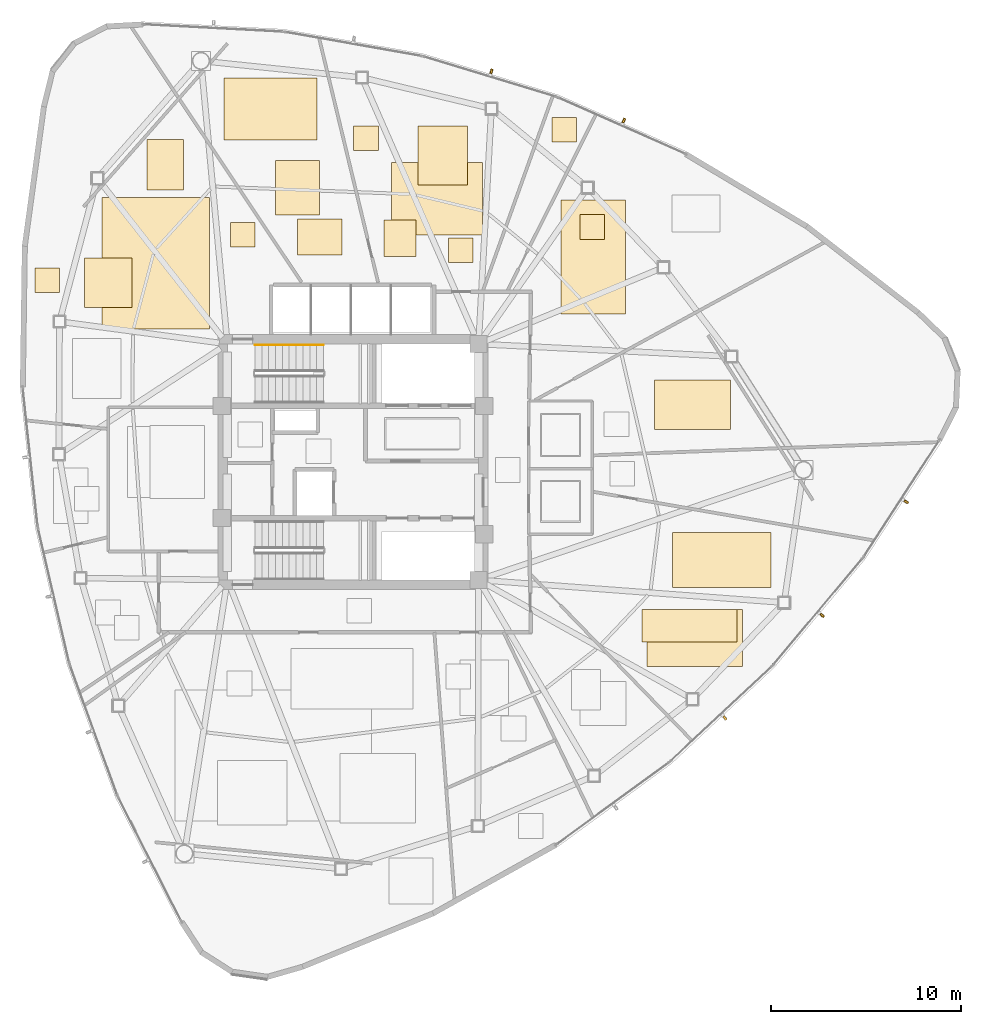
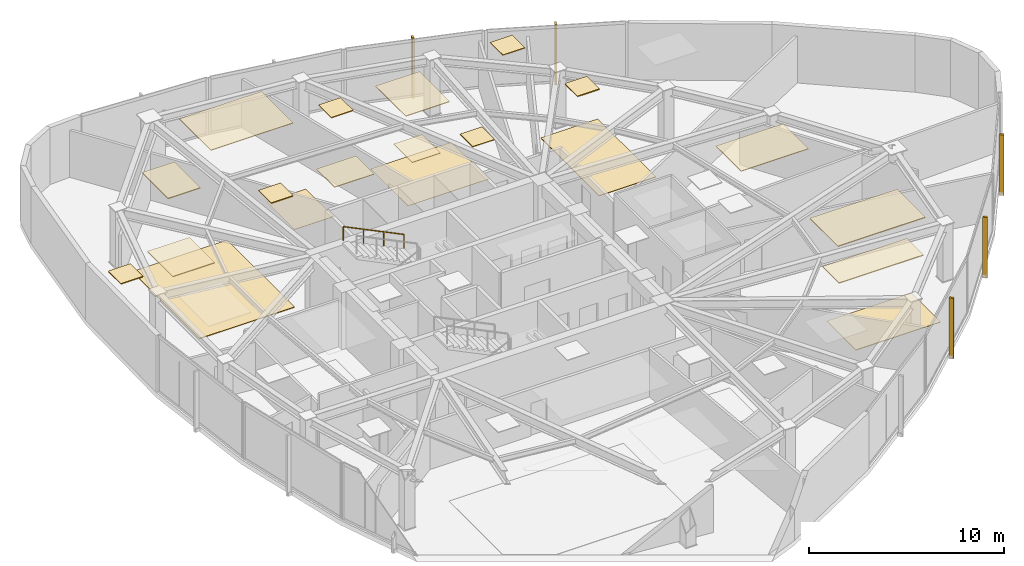
# One storey, part 16 of 17: 20 coverings, 5 shading devices, 1 railing.
"""IFC4 building model written with IfcOpenShell, lengths in metres."""

from ifc_helpers import new_model, si_unit, direction, frame, origin, origin_2d, place, context, subcontext, project, spatial, polyline, rectangle, outline, extrude, source, transform, mapped, material, layer, layer_set, type_object, type_shapes, element, save


model = new_model("IFC4")

# Units and contexts
model_context = context("Model", 3, precision=1e-05, world=origin(), true_north=direction((0.0, 1.0)))
body_context = subcontext(model_context, "Body", "Model", "MODEL_VIEW")
ifc_project = project(units=[si_unit("LENGTHUNIT", "METRE"), si_unit("AREAUNIT", "SQUARE_METRE"), si_unit("VOLUMEUNIT", "CUBIC_METRE"), si_unit("PLANEANGLEUNIT", "RADIAN"), si_unit("MASSUNIT", "GRAM", prefix="KILO")], contexts=[model_context])

# Site, building, storey
site_placement = place(None, origin())
site = spatial("IfcSite", under=ifc_project, at=site_placement, CompositionType="ELEMENT")
building_placement = place(site_placement, origin())
building = spatial("IfcBuilding", under=site, at=building_placement, Name="Tavelor Broadcast Tower", CompositionType="ELEMENT")
storey_placement = place(building_placement, frame((0.0, 0.0, 200.300048828125)))
storey = spatial("IfcBuildingStorey", under=building, at=storey_placement, Name="L48", CompositionType="ELEMENT", Elevation=200.300048828125)

# Railing
ifc_material_1 = material(Name="Steel S355", Category="steel")
railing_type = type_object("IfcRailingType", Name="Continuous Brushed Stainless Handrail 900 mm", PredefinedType="HANDRAIL", material=ifc_material_1)
railing_placement = place(storey_placement, frame((48.449951171875, 51.14990234375, 2.099853515625)))
element("IfcRailing", 1, at=railing_placement, inside=storey, type_object=railing_type, Name="L48 ST1 stair handrail 2", PredefinedType="HANDRAIL", context=body_context, shape_type="SweptSolid", body=[
    extrude(rectangle(XDim=0.048095703125, YDim=0.048095703125, at=origin_2d()), frame((0.0, 0.0, 0.8759765625), z_axis=(-0.899360859046, 0.0, 0.437207096483), x_axis=(0.0, -1.0, 0.0)), (0.0, 0.0, 1.0), 4.002685546875),
    extrude(rectangle(XDim=0.0419921875, YDim=0.0419921875, at=origin_2d()), origin(), (0.0, 0.0, 1.0), 0.851806640625),
    extrude(rectangle(XDim=0.0419921875, YDim=0.0419921875, at=origin_2d()), frame((-1.199951171875, 0.0, 0.583251953125)), (0.0, 0.0, 1.0), 0.851806640625),
    extrude(rectangle(XDim=0.0419921875, YDim=0.0419921875, at=origin_2d()), frame((-2.39990234375, 0.0, 1.166748046875)), (0.0, 0.0, 1.0), 0.851806640625),
    extrude(rectangle(XDim=0.0419921875, YDim=0.0419921875, at=origin_2d()), frame((-3.599853515625, 0.0, 1.75)), (0.0, 0.0, 1.0), 0.851806640625),
])

# Coverings
ifc_material_2 = material(Name="Acoustic Nylon Carpet Tile")
ifc_layer_1 = layer(ifc_material_2, 0.02001953125)
ifc_layer_set_1 = layer_set([ifc_layer_1], Name="Acoustic Nylon Carpet Tile")
covering_type_1 = type_object("IfcCoveringType", Name="Heavy-Duty Acoustic Broadcast Carpet Tile 20 mm", PredefinedType="FLOORING", material=ifc_layer_set_1)
covering_1_placement = place(storey_placement, origin())
element("IfcCovering", 2, at=covering_1_placement, inside=storey, type_object=covering_type_1, Name="L48 Broadcast Floor Finish 0737", PredefinedType="FLOORING", context=body_context, shape_type="SweptSolid", body=[
    extrude(outline(polyline([(45.919189453125, 57.991943359375), (48.235595703125, 57.991943359375), (48.235595703125, 60.837646484375), (45.919189453125, 60.837646484375), (45.919189453125, 57.991943359375)])), origin(), (0.0, 0.0, 1.0), 0.02001953125),
])
covering_2_placement = place(storey_placement, origin())
element("IfcCovering", 3, at=covering_2_placement, inside=storey, type_object=covering_type_1, Name="L48 Broadcast Floor Finish 0738", PredefinedType="FLOORING", context=body_context, shape_type="SweptSolid", body=[
    extrude(outline(polyline([(52.011474609375, 56.917236328125), (56.798095703125, 56.917236328125), (56.798095703125, 60.7412109375), (52.011474609375, 60.7412109375), (52.011474609375, 56.917236328125)])), origin(), (0.0, 0.0, 1.0), 0.02001953125),
])
ifc_material_3 = material(Name="Acoustic Hardwood Studio Flooring", Category="wood")
ifc_layer_2 = layer(ifc_material_3, 0.034912109375)
ifc_layer_set_2 = layer_set([ifc_layer_2], Name="Acoustic Hardwood Studio Flooring")
covering_type_2 = type_object("IfcCoveringType", Name="Isolated Studio Acoustic Elastomeric Floor Finish 35 mm", PredefinedType="FLOORING", material=ifc_layer_set_2)
covering_3_placement = place(storey_placement, origin())
element("IfcCovering", 4, at=covering_3_placement, inside=storey, type_object=covering_type_2, Name="L48 Broadcast Floor Finish 0730", PredefinedType="FLOORING", context=body_context, shape_type="SweptSolid", body=[
    extrude(outline(polyline([(65.4501953125, 34.2587890625), (70.46728515625, 34.2587890625), (70.46728515625, 37.254638671875), (65.4501953125, 37.254638671875), (65.4501953125, 34.2587890625)])), origin(), (0.0, 0.0, 1.0), 0.034912109375),
])
covering_4_placement = place(storey_placement, origin())
element("IfcCovering", 5, at=covering_4_placement, inside=storey, type_object=covering_type_2, Name="L48 Broadcast Floor Finish 0736", PredefinedType="FLOORING", context=body_context, shape_type="SweptSolid", body=[
    extrude(outline(polyline([(36.81640625, 51.977783203125), (42.45556640625, 51.977783203125), (42.45556640625, 58.891845703125), (36.81640625, 58.891845703125), (36.81640625, 51.977783203125)])), origin(), (0.0, 0.0, 1.0), 0.034912109375),
])
covering_5_placement = place(storey_placement, origin())
element("IfcCovering", 6, at=covering_5_placement, inside=storey, type_object=covering_type_2, Name="L48 Broadcast Floor Finish 0739", PredefinedType="FLOORING", context=body_context, shape_type="SweptSolid", body=[
    extrude(outline(polyline([(60.94287109375, 52.78857421875), (64.31689453125, 52.78857421875), (64.31689453125, 58.762939453125), (60.94287109375, 58.762939453125), (60.94287109375, 52.78857421875)])), origin(), (0.0, 0.0, 1.0), 0.034912109375),
])
ifc_material_4 = material(Name="Acoustic Perforated Timber Baffle", Category="wood")
ifc_layer_3 = layer(ifc_material_4, 0.054931640625)
ifc_layer_set_3 = layer_set([ifc_layer_3], Name="Acoustic Perforated Timber Baffle")
covering_type_3 = type_object("IfcCoveringType", Name="Micro-Perforated Acoustic Baffle Studio Ceiling 55 mm", PredefinedType="CEILING", material=ifc_layer_set_3)
covering_6_placement = place(storey_placement, frame((0.0, 0.0, 3.494873046875)))
element("IfcCovering", 7, at=covering_6_placement, inside=storey, type_object=covering_type_3, Name="L48 Suspended Acoustic Ceiling 2001", PredefinedType="CEILING", context=body_context, shape_type="SweptSolid", body=[
    extrude(outline(polyline([(66.793212890625, 38.416748046875), (71.962890625, 38.416748046875), (71.962890625, 41.304931640625), (66.793212890625, 41.304931640625), (66.793212890625, 38.416748046875)])), origin(), (0.0, 0.0, 1.0), 0.05517578125),
])
covering_7_placement = place(storey_placement, frame((0.0, 0.0, 3.494873046875)))
element("IfcCovering", 8, at=covering_7_placement, inside=storey, type_object=covering_type_3, Name="L48 Suspended Acoustic Ceiling 2002", PredefinedType="CEILING", context=body_context, shape_type="SweptSolid", body=[
    extrude(outline(polyline([(65.200439453125, 35.542236328125), (70.193115234375, 35.542236328125), (70.193115234375, 37.24951171875), (65.200439453125, 37.24951171875), (65.200439453125, 35.542236328125)])), origin(), (0.0, 0.0, 1.0), 0.05517578125),
])
covering_8_placement = place(storey_placement, frame((0.0, 0.0, 3.494873046875)))
element("IfcCovering", 9, at=covering_8_placement, inside=storey, type_object=covering_type_3, Name="L48 Suspended Acoustic Ceiling 2011", PredefinedType="CEILING", context=body_context, shape_type="SweptSolid", body=[
    extrude(outline(polyline([(33.277099609375, 53.8955078125), (34.576904296875, 53.8955078125), (34.576904296875, 55.195556640625), (33.277099609375, 55.195556640625), (33.277099609375, 53.8955078125)])), origin(), (0.0, 0.0, 1.0), 0.05517578125),
])
covering_9_placement = place(storey_placement, frame((0.0, 0.0, 3.494873046875)))
element("IfcCovering", 10, at=covering_9_placement, inside=storey, type_object=covering_type_3, Name="L48 Suspended Acoustic Ceiling 2012", PredefinedType="CEILING", context=body_context, shape_type="SweptSolid", body=[
    extrude(outline(polyline([(35.90185546875, 53.112548828125), (38.393310546875, 53.112548828125), (38.393310546875, 55.72216796875), (35.90185546875, 55.72216796875), (35.90185546875, 53.112548828125)])), origin(), (0.0, 0.0, 1.0), 0.05517578125),
])
covering_10_placement = place(storey_placement, frame((0.0, 0.0, 3.494873046875)))
element("IfcCovering", 11, at=covering_10_placement, inside=storey, type_object=covering_type_3, Name="L48 Suspended Acoustic Ceiling 2013", PredefinedType="CEILING", context=body_context, shape_type="SweptSolid", body=[
    extrude(outline(polyline([(39.1826171875, 59.285888671875), (41.09716796875, 59.285888671875), (41.09716796875, 61.9541015625), (39.1826171875, 61.9541015625), (39.1826171875, 59.285888671875)])), origin(), (0.0, 0.0, 1.0), 0.05517578125),
])
covering_11_placement = place(storey_placement, frame((0.0, 0.0, 3.494873046875)))
element("IfcCovering", 12, at=covering_11_placement, inside=storey, type_object=covering_type_3, Name="L48 Suspended Acoustic Ceiling 2014", PredefinedType="CEILING", context=body_context, shape_type="SweptSolid", body=[
    extrude(outline(polyline([(43.560791015625, 56.292236328125), (44.860595703125, 56.292236328125), (44.860595703125, 57.59228515625), (43.560791015625, 57.59228515625), (43.560791015625, 56.292236328125)])), origin(), (0.0, 0.0, 1.0), 0.05517578125),
])
covering_12_placement = place(storey_placement, frame((0.0, 0.0, 3.494873046875)))
element("IfcCovering", 13, at=covering_12_placement, inside=storey, type_object=covering_type_3, Name="L48 Suspended Acoustic Ceiling 2024", PredefinedType="CEILING", context=body_context, shape_type="SweptSolid", body=[
    extrude(outline(polyline([(61.927734375, 56.70068359375), (63.227783203125, 56.70068359375), (63.227783203125, 58.00048828125), (61.927734375, 58.00048828125), (61.927734375, 56.70068359375)])), origin(), (0.0, 0.0, 1.0), 0.05517578125),
])
ifc_material_5 = material(Name="Acoustic Mineral Fibre Tile")
ifc_layer_4 = layer(ifc_material_5, 0.0400390625)
ifc_layer_set_4 = layer_set([ifc_layer_4], Name="Acoustic Mineral Fibre Tile")
covering_type_4 = type_object("IfcCoveringType", Name="Suspended Acoustic Mineral-Fibre Office Ceiling 40 mm", PredefinedType="CEILING", material=ifc_layer_set_4)
covering_13_placement = place(storey_placement, frame((0.0, 0.0, 3.510009765625)))
element("IfcCovering", 14, at=covering_13_placement, inside=storey, type_object=covering_type_4, Name="L48 Suspended Acoustic Ceiling 2016", PredefinedType="CEILING", context=body_context, shape_type="SweptSolid", body=[
    extrude(outline(polyline([(43.231201171875, 61.921630859375), (48.1044921875, 61.921630859375), (48.1044921875, 65.169189453125), (43.231201171875, 65.169189453125), (43.231201171875, 61.921630859375)])), origin(), (0.0, 0.0, 1.0), 0.0400390625),
])
covering_14_placement = place(storey_placement, frame((0.0, 0.0, 3.510009765625)))
element("IfcCovering", 15, at=covering_14_placement, inside=storey, type_object=covering_type_4, Name="L48 Suspended Acoustic Ceiling 2017", PredefinedType="CEILING", context=body_context, shape_type="SweptSolid", body=[
    extrude(outline(polyline([(47.07666015625, 55.885498046875), (49.4208984375, 55.885498046875), (49.4208984375, 57.758544921875), (47.07666015625, 57.758544921875), (47.07666015625, 55.885498046875)])), origin(), (0.0, 0.0, 1.0), 0.0400390625),
])
covering_15_placement = place(storey_placement, frame((0.0, 0.0, 3.510009765625)))
element("IfcCovering", 16, at=covering_15_placement, inside=storey, type_object=covering_type_4, Name="L48 Suspended Acoustic Ceiling 2018", PredefinedType="CEILING", context=body_context, shape_type="SweptSolid", body=[
    extrude(outline(polyline([(55.015625, 55.479736328125), (56.315673828125, 55.479736328125), (56.315673828125, 56.77978515625), (55.015625, 56.77978515625), (55.015625, 55.479736328125)])), origin(), (0.0, 0.0, 1.0), 0.0400390625),
])
covering_16_placement = place(storey_placement, frame((0.0, 0.0, 3.510009765625)))
element("IfcCovering", 17, at=covering_16_placement, inside=storey, type_object=covering_type_4, Name="L48 Suspended Acoustic Ceiling 2019", PredefinedType="CEILING", context=body_context, shape_type="SweptSolid", body=[
    extrude(outline(polyline([(51.623291015625, 55.810302734375), (53.315673828125, 55.810302734375), (53.315673828125, 57.716552734375), (51.623291015625, 57.716552734375), (51.623291015625, 55.810302734375)])), origin(), (0.0, 0.0, 1.0), 0.0400390625),
])
covering_17_placement = place(storey_placement, frame((0.0, 0.0, 3.510009765625)))
element("IfcCovering", 18, at=covering_17_placement, inside=storey, type_object=covering_type_4, Name="L48 Suspended Acoustic Ceiling 2020", PredefinedType="CEILING", context=body_context, shape_type="SweptSolid", body=[
    extrude(outline(polyline([(50.03857421875, 61.358154296875), (51.33837890625, 61.358154296875), (51.33837890625, 62.658203125), (50.03857421875, 62.658203125), (50.03857421875, 61.358154296875)])), origin(), (0.0, 0.0, 1.0), 0.0400390625),
])
covering_18_placement = place(storey_placement, frame((0.0, 0.0, 3.510009765625)))
element("IfcCovering", 19, at=covering_18_placement, inside=storey, type_object=covering_type_4, Name="L48 Suspended Acoustic Ceiling 2021", PredefinedType="CEILING", context=body_context, shape_type="SweptSolid", body=[
    extrude(outline(polyline([(53.40771484375, 59.56494140625), (56.0146484375, 59.56494140625), (56.0146484375, 62.666015625), (53.40771484375, 62.666015625), (53.40771484375, 59.56494140625)])), origin(), (0.0, 0.0, 1.0), 0.0400390625),
])
covering_19_placement = place(storey_placement, frame((0.0, 0.0, 3.510009765625)))
element("IfcCovering", 20, at=covering_19_placement, inside=storey, type_object=covering_type_4, Name="L48 Suspended Acoustic Ceiling 2022", PredefinedType="CEILING", context=body_context, shape_type="SweptSolid", body=[
    extrude(outline(polyline([(60.456298828125, 61.8046875), (61.75634765625, 61.8046875), (61.75634765625, 63.104736328125), (60.456298828125, 63.104736328125), (60.456298828125, 61.8046875)])), origin(), (0.0, 0.0, 1.0), 0.0400390625),
])
covering_20_placement = place(storey_placement, frame((0.0, 0.0, 3.510009765625)))
element("IfcCovering", 21, at=covering_20_placement, inside=storey, type_object=covering_type_4, Name="L48 Suspended Acoustic Ceiling 2025", PredefinedType="CEILING", context=body_context, shape_type="SweptSolid", body=[
    extrude(outline(polyline([(65.844970703125, 46.70849609375), (69.833740234375, 46.70849609375), (69.833740234375, 49.2978515625), (65.844970703125, 49.2978515625), (65.844970703125, 46.70849609375)])), origin(), (0.0, 0.0, 1.0), 0.0400390625),
])

# Shading devices
ifc_material_6 = material(Name="Kiln-Fired Glazed Terracotta", Category="masonry")
shading_device_type = type_object("IfcShadingDeviceType", Name="Extruded Terracotta Baguette Sun-Screen 110x240", PredefinedType="JALOUSIE", material=ifc_material_6)
shared_shape = source(origin(), body_context, "Body", "SweptSolid", [
    extrude(rectangle(XDim=0.110107421875, YDim=0.239990234375, at=origin_2d()), origin(), (0.0, 0.0, 1.0), 3.7900390625),
])
type_shapes(shading_device_type, [shared_shape])
for number, where, z_axis, x_axis, name in (
    (22, (69.548095703125, 31.546875, -0.260009765625), (0.0, 0.0, 1.0), (0.730400739673, 0.683018857343, 0.0), "L48 Terracotta Baguette Fin 510"),
    (23, (74.654541015625, 36.9375, -0.260009765625), (0.0, 0.0, 1.0), (0.64238642166, 0.766380900901, 0.0), "L48 Terracotta Baguette Fin 511"),
    (24, (79.0712890625, 42.90673828125, -0.260009765625), (0.0, 0.0, 1.0), (0.544931753083, 0.838480401967, 0.0), "L48 Terracotta Baguette Fin 512"),
    (25, (64.236572265625, 62.94970703125, -0.260009765625), (0.0, 0.0, 1.0), (-0.914395320624, 0.404822427269, 0.0), "L48 Terracotta Baguette Fin 513"),
    (26, (57.27685546875, 65.537841796875, -0.260009765625), (0.0, 0.0, 1.0), (-0.956712051559, 0.291036166828, 0.0), "L48 Terracotta Baguette Fin 514"),
):
    element("IfcShadingDevice", number, at=place(storey_placement, frame(where, z_axis=z_axis, x_axis=x_axis)), inside=storey, type_object=shading_device_type, Name=name, PredefinedType="JALOUSIE", context=body_context, shape_type="MappedRepresentation", body=[
        mapped(shared_shape, transform((0.0, 0.0, 0.0), scale=1.0)),
    ])

save(model, "model.ifc")
